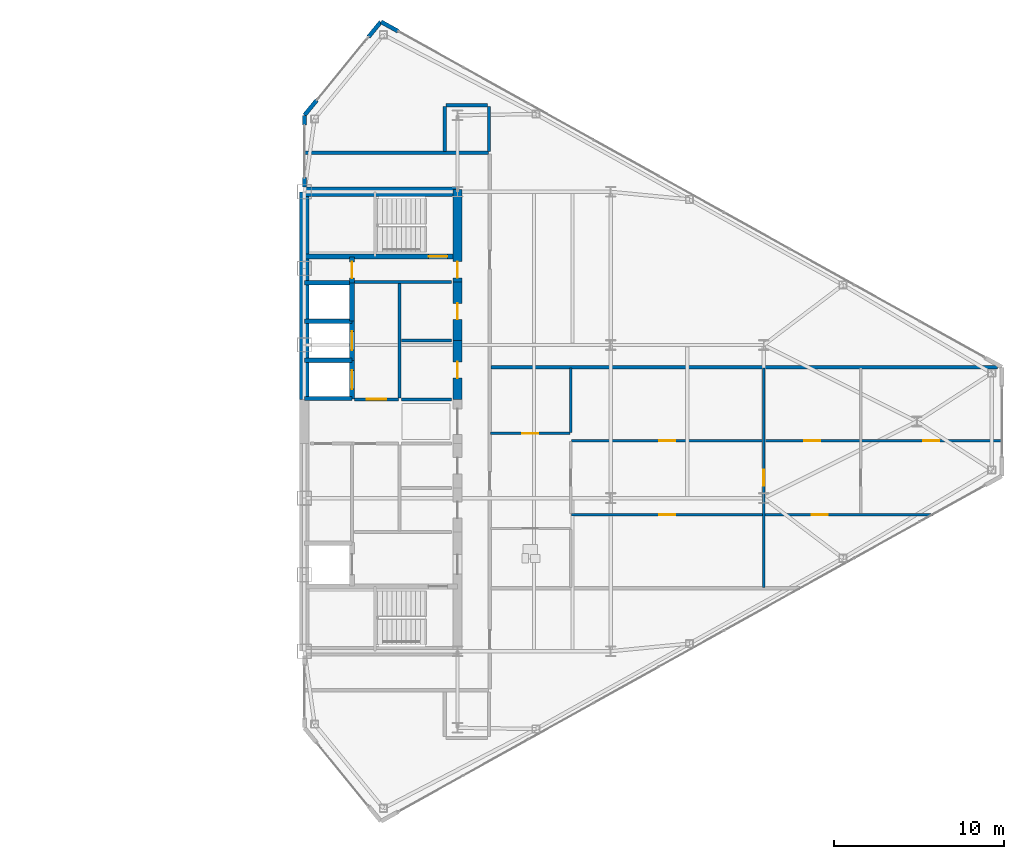
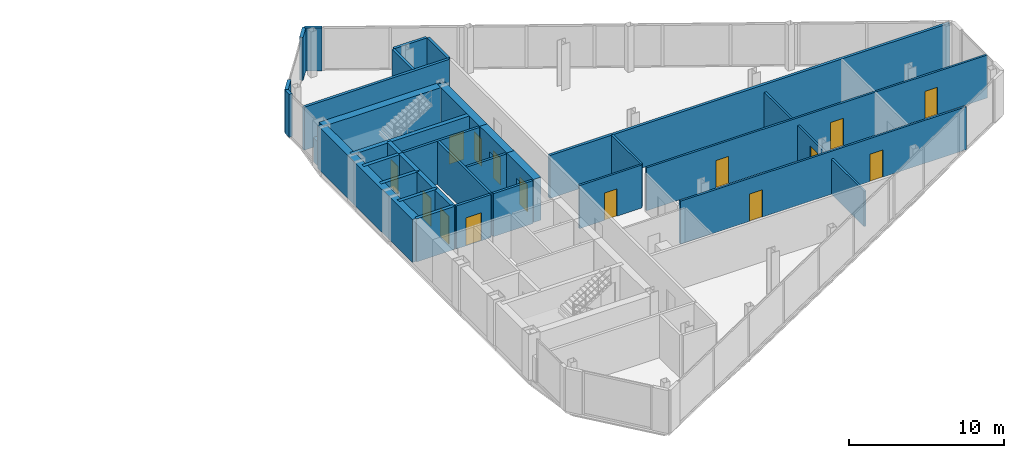
# One storey, part 22 of 26: 34 walls, 15 doors, 15 openings.
"""IFC4 building model written with IfcOpenShell, lengths in metres."""

from ifc_helpers import new_model, si_unit, direction, frame, frame_2d, origin, place, context, subcontext, project, spatial, rectangle, extrude, source, transform, mapped, material, layer, layer_set, type_object, type_shapes, element, fill, save


model = new_model("IFC4")

# Units and contexts
model_context = context("Model", 3, precision=1e-05, world=origin(), true_north=direction((0.0, 1.0)))
body_context = subcontext(model_context, "Body", "Model", "MODEL_VIEW")
ifc_project = project(units=[si_unit("LENGTHUNIT", "METRE"), si_unit("AREAUNIT", "SQUARE_METRE"), si_unit("VOLUMEUNIT", "CUBIC_METRE"), si_unit("PLANEANGLEUNIT", "RADIAN"), si_unit("MASSUNIT", "GRAM", prefix="KILO")], contexts=[model_context])

# Site, building, storey
site_placement = place(None, origin())
site = spatial("IfcSite", under=ifc_project, at=site_placement, CompositionType="ELEMENT")
building_placement = place(site_placement, origin())
building = spatial("IfcBuilding", under=site, at=building_placement, Name="Seokmaru Belvedere", CompositionType="ELEMENT")
storey_placement = place(building_placement, frame((0.0, 0.0, 192.300048828125)))
storey = spatial("IfcBuildingStorey", under=building, at=storey_placement, Name="L51", CompositionType="ELEMENT", Elevation=192.300048828125)

# Wall, openings, doors
ifc_material_1 = material(Name="Fire-Rated Gypsum Shaftwall")
ifc_layer_1 = layer(ifc_material_1, 0.14990234375)
ifc_layer_set_1 = layer_set([ifc_layer_1], Name="Fire-Rated Gypsum Shaftwall")
wall_type_1 = type_object("IfcWallType", Name="Apartment Fire-Acoustic Room Partition 150", PredefinedType="PARTITIONING", material=ifc_layer_set_1)
wall_1_placement = place(storey_placement, frame((43.199951171875, -5.469970703125, 0.0), z_axis=(0.0, 0.0, 1.0), x_axis=(1.0, 0.0, 0.0)))
wall_1 = element("IfcWall", 1, at=wall_1_placement, inside=storey, type_object=wall_type_1, Name="L51 Interior Partition 008", PredefinedType="PARTITIONING", context=body_context, shape_type="SweptSolid", body=[
    extrude(rectangle(XDim=21.259033203125, YDim=0.14990234375, at=frame_2d((10.62939453125, 0.0))), origin(), (0.0, 0.0, 1.0), 3.3798828125),
])
opening_1_placement = place(wall_1_placement, frame((5.14990234375, 0.0, 0.0)))
opening_1 = element("IfcOpeningElement", 2, at=opening_1_placement, cuts=wall_1, Name="Opening D05", PredefinedType="OPENING", context=body_context, shape_type="SweptSolid", body=[
    extrude(rectangle(XDim=0.949951171875, YDim=2.14990234375, at=frame_2d((0.47509765625, 1.074951171875))), frame((0.0, 0.0849609375, 0.0), z_axis=(0.0, -1.0, 0.0), x_axis=(1.0, 0.0, 0.0)), (0.0, 0.0, 1.0), 0.169921875),
])
opening_2_placement = place(wall_1_placement, frame((14.112548828125, 0.0, 0.0)))
opening_2 = element("IfcOpeningElement", 3, at=opening_2_placement, cuts=wall_1, Name="Opening D05", PredefinedType="OPENING", context=body_context, shape_type="SweptSolid", body=[
    extrude(rectangle(XDim=0.949951171875, YDim=2.14990234375, at=frame_2d((0.47509765625, 1.074951171875))), frame((0.0, 0.0849609375, 0.0), z_axis=(0.0, -1.0, 0.0), x_axis=(1.0, 0.0, 0.0)), (0.0, 0.0, 1.0), 0.169921875),
])
ifc_material_2 = material(Name="Engineered White Oak Timber", Category="wood")
door_type_1 = type_object("IfcDoorType", Name="Apartment Interior Fire-Rated Oak Door 950x2150", OperationType="NOTDEFINED", PredefinedType="DOOR", material=ifc_material_2)
shared_shape_1 = source(origin(), body_context, "Body", "SweptSolid", [
    extrude(rectangle(XDim=0.949951171875, YDim=2.14990234375, at=frame_2d((0.47509765625, 1.074951171875))), frame((0.0, 0.02490234375, 0.0), z_axis=(0.0, -1.0, 0.0), x_axis=(1.0, 0.0, 0.0)), (0.0, 0.0, 1.0), 0.050048828125),
])
type_shapes(door_type_1, [shared_shape_1])
door_1_placement = place(opening_1_placement, origin())
door_1 = element("IfcDoor", 4, at=door_1_placement, inside=storey, type_object=door_type_1, Name="L51 Interior Door 019", OperationType="SINGLE_SWING_RIGHT", OverallHeight=2.14990234375, OverallWidth=0.949951171875, PredefinedType="DOOR", context=body_context, shape_type="MappedRepresentation", body=[
    mapped(shared_shape_1, transform((0.0, 0.0, 0.0), scale=1.0)),
])
fill(opening_1, door_1)
door_2_placement = place(opening_2_placement, origin())
door_2 = element("IfcDoor", 5, at=door_2_placement, inside=storey, type_object=door_type_1, Name="L51 Interior Door 021", OperationType="SINGLE_SWING_RIGHT", OverallHeight=2.14990234375, OverallWidth=0.949951171875, PredefinedType="DOOR", context=body_context, shape_type="MappedRepresentation", body=[
    mapped(shared_shape_1, transform((0.0, 0.0, 0.0), scale=1.0)),
])
fill(opening_2, door_2)

wall_2_placement = place(storey_placement, frame((43.199951171875, -1.1298828125, 0.0), z_axis=(0.0, 0.0, 1.0), x_axis=(1.0, 0.0, 0.0)))
wall_2 = element("IfcWall", 6, at=wall_2_placement, inside=storey, type_object=wall_type_1, Name="L51 Interior Partition 011", PredefinedType="PARTITIONING", context=body_context, shape_type="SweptSolid", body=[
    extrude(rectangle(XDim=25.3349609375, YDim=0.14990234375, at=frame_2d((12.66748046875, 0.0))), origin(), (0.0, 0.0, 1.0), 3.3798828125),
])
opening_3_placement = place(wall_2_placement, frame((5.14990234375, 0.0, 0.0)))
opening_3 = element("IfcOpeningElement", 7, at=opening_3_placement, cuts=wall_2, Name="Opening D05", PredefinedType="OPENING", context=body_context, shape_type="SweptSolid", body=[
    extrude(rectangle(XDim=0.949951171875, YDim=2.14990234375, at=frame_2d((0.47509765625, 1.074951171875))), frame((0.0, 0.0849609375, 0.0), z_axis=(0.0, -1.0, 0.0), x_axis=(1.0, 0.0, 0.0)), (0.0, 0.0, 1.0), 0.169921875),
])
opening_4_placement = place(wall_2_placement, frame((20.675048828125, 0.0, 0.0)))
opening_4 = element("IfcOpeningElement", 8, at=opening_4_placement, cuts=wall_2, Name="Opening D05", PredefinedType="OPENING", context=body_context, shape_type="SweptSolid", body=[
    extrude(rectangle(XDim=0.949951171875, YDim=2.14990234375, at=frame_2d((0.47509765625, 1.074951171875))), frame((0.0, 0.0849609375, 0.0), z_axis=(0.0, -1.0, 0.0), x_axis=(1.0, 0.0, 0.0)), (0.0, 0.0, 1.0), 0.169921875),
])
opening_5_placement = place(wall_2_placement, frame((13.675048828125, 0.0, 0.0)))
opening_5 = element("IfcOpeningElement", 9, at=opening_5_placement, cuts=wall_2, Name="Opening D05", PredefinedType="OPENING", context=body_context, shape_type="SweptSolid", body=[
    extrude(rectangle(XDim=0.949951171875, YDim=2.14990234375, at=frame_2d((0.47509765625, 1.074951171875))), frame((0.0, 0.0849609375, 0.0), z_axis=(0.0, -1.0, 0.0), x_axis=(1.0, 0.0, 0.0)), (0.0, 0.0, 1.0), 0.169921875),
])
door_3_placement = place(opening_3_placement, origin())
door_3 = element("IfcDoor", 10, at=door_3_placement, inside=storey, type_object=door_type_1, Name="L51 Interior Door 020", OperationType="SINGLE_SWING_LEFT", OverallHeight=2.14990234375, OverallWidth=0.949951171875, PredefinedType="DOOR", context=body_context, shape_type="MappedRepresentation", body=[
    mapped(shared_shape_1, transform((0.0, 0.0, 0.0), scale=1.0)),
])
fill(opening_3, door_3)
door_4_placement = place(opening_4_placement, origin())
door_4 = element("IfcDoor", 11, at=door_4_placement, inside=storey, type_object=door_type_1, Name="L51 Interior Door 023", OperationType="SINGLE_SWING_RIGHT", OverallHeight=2.14990234375, OverallWidth=0.949951171875, PredefinedType="DOOR", context=body_context, shape_type="MappedRepresentation", body=[
    mapped(shared_shape_1, transform((0.0, 0.0, 0.0), scale=1.0)),
])
fill(opening_4, door_4)
door_5_placement = place(opening_5_placement, origin())
door_5 = element("IfcDoor", 12, at=door_5_placement, inside=storey, type_object=door_type_1, Name="L51 Interior Door 024", OperationType="SINGLE_SWING_RIGHT", OverallHeight=2.14990234375, OverallWidth=0.949951171875, PredefinedType="DOOR", context=body_context, shape_type="MappedRepresentation", body=[
    mapped(shared_shape_1, transform((0.0, 0.0, 0.0), scale=1.0)),
])
fill(opening_5, door_5)

# Wall, opening, door
wall_3_placement = place(storey_placement, frame((38.449951171875, -0.699951171875, 0.0), z_axis=(0.0, 0.0, 1.0), x_axis=(1.0, 0.0, 0.0)))
wall_3 = element("IfcWall", 13, at=wall_3_placement, inside=storey, type_object=wall_type_1, Name="L51 Interior Partition 012", PredefinedType="PARTITIONING", context=body_context, shape_type="SweptSolid", body=[
    extrude(rectangle(XDim=4.650146484375, YDim=0.14990234375, at=frame_2d((2.3251953125, 0.0))), origin(), (0.0, 0.0, 1.0), 3.3798828125),
])
opening_6_placement = place(wall_3_placement, frame((1.85009765625, 0.0, 0.0)))
opening_6 = element("IfcOpeningElement", 14, at=opening_6_placement, cuts=wall_3, Name="Opening D05", PredefinedType="OPENING", context=body_context, shape_type="SweptSolid", body=[
    extrude(rectangle(XDim=0.949951171875, YDim=2.14990234375, at=frame_2d((0.47509765625, 1.074951171875))), frame((0.0, 0.0849609375, 0.0), z_axis=(0.0, -1.0, 0.0), x_axis=(1.0, 0.0, 0.0)), (0.0, 0.0, 1.0), 0.169921875),
])
door_6_placement = place(opening_6_placement, origin())
door_6 = element("IfcDoor", 15, at=door_6_placement, inside=storey, type_object=door_type_1, Name="L51 Interior Door 016", OperationType="SINGLE_SWING_RIGHT", OverallHeight=2.14990234375, OverallWidth=0.949951171875, PredefinedType="DOOR", context=body_context, shape_type="MappedRepresentation", body=[
    mapped(shared_shape_1, transform((0.0, 0.0, 0.0), scale=1.0)),
])
fill(opening_6, door_6)

# Wall
wall_4_placement = place(storey_placement, frame((43.14990234375, -0.64794921875, 0.0), z_axis=(0.0, 0.0, 1.0), x_axis=(0.0, 1.0, 0.0)))
element("IfcWall", 16, at=wall_4_placement, inside=storey, type_object=wall_type_1, Name="L51 Interior Partition 037", PredefinedType="PARTITIONING", context=body_context, shape_type="SweptSolid", body=[
    extrude(rectangle(XDim=3.7978515625, YDim=0.14990234375, at=frame_2d((1.89892578125, 0.0))), origin(), (0.0, 0.0, 1.0), 3.3798828125),
])

# Wall, opening, door
wall_5_placement = place(storey_placement, frame((54.5, -9.75, 0.0), z_axis=(0.0, 0.0, 1.0), x_axis=(0.0, 1.0, 0.0)))
wall_5 = element("IfcWall", 17, at=wall_5_placement, inside=storey, type_object=wall_type_1, Name="L51 Interior Partition 038", PredefinedType="PARTITIONING", context=body_context, shape_type="SweptSolid", body=[
    extrude(rectangle(XDim=12.89990234375, YDim=0.14990234375, at=frame_2d((6.449951171875, 0.0))), origin(), (0.0, 0.0, 1.0), 2.780029296875),
])
opening_7_placement = place(wall_5_placement, frame((5.97509765625, 0.0, 0.0)))
opening_7 = element("IfcOpeningElement", 18, at=opening_7_placement, cuts=wall_5, Name="Opening D05", PredefinedType="OPENING", context=body_context, shape_type="SweptSolid", body=[
    extrude(rectangle(XDim=0.949951171875, YDim=2.14990234375, at=frame_2d((0.47509765625, 1.074951171875))), frame((0.0, 0.0849609375, 0.0), z_axis=(0.0, -1.0, 0.0), x_axis=(1.0, 0.0, 0.0)), (0.0, 0.0, 1.0), 0.169921875),
])
door_7_placement = place(opening_7_placement, origin())
door_7 = element("IfcDoor", 19, at=door_7_placement, inside=storey, type_object=door_type_1, Name="L51 Interior Door 018", OperationType="SINGLE_SWING_LEFT", OverallHeight=2.14990234375, OverallWidth=0.949951171875, PredefinedType="DOOR", context=body_context, shape_type="MappedRepresentation", body=[
    mapped(shared_shape_1, transform((0.0, 0.0, 0.0), scale=1.0)),
])
fill(opening_7, door_7)

# Walls
ifc_layer_2 = layer(ifc_material_1, 0.179931640625)
ifc_layer_set_2 = layer_set([ifc_layer_2], Name="Fire-Rated Gypsum Shaftwall")
wall_type_2 = type_object("IfcWallType", Name="Core Service Fire Partition 180", PredefinedType="PARTITIONING", material=ifc_layer_set_2)
wall_6_placement = place(storey_placement, frame((30.449951171875, 8.199951171875, 0.0), z_axis=(0.0, 0.0, 1.0), x_axis=(1.0, 0.0, 0.0)))
element("IfcWall", 20, at=wall_6_placement, inside=storey, type_object=wall_type_2, Name="L51 East Smokeproof Vestibule Partition", PredefinedType="PARTITIONING", context=body_context, shape_type="SweptSolid", body=[
    extrude(rectangle(XDim=5.699951171875, YDim=0.179931640625, at=frame_2d((2.85009765625, 0.0))), origin(), (0.0, 0.0, 1.0), 3.3798828125),
])
wall_7_placement = place(storey_placement, frame((33.10009765625, 1.3798828125, 0.0), z_axis=(0.0, 0.0, 1.0), x_axis=(0.0, 1.0, 0.0)))
element("IfcWall", 21, at=wall_7_placement, inside=storey, type_object=wall_type_2, Name="L51 East North Core Service Back Wall", PredefinedType="PARTITIONING", context=body_context, shape_type="SweptSolid", body=[
    extrude(rectangle(XDim=6.740234375, YDim=0.179931640625, at=frame_2d((3.3701171875, 0.0))), origin(), (0.0, 0.0, 1.0), 3.3798828125),
])

# Wall, opening, door
wall_8_placement = place(storey_placement, frame((30.449951171875, 1.300048828125, 0.0), z_axis=(0.0, 0.0, 1.0), x_axis=(1.0, 0.0, 0.0)))
wall_8 = element("IfcWall", 22, at=wall_8_placement, inside=storey, type_object=wall_type_2, Name="L51 East North Lift Lobby Foyer Wall", PredefinedType="PARTITIONING", context=body_context, shape_type="SweptSolid", body=[
    extrude(rectangle(XDim=2.570068359375, YDim=0.179931640625, at=frame_2d((1.28515625, 0.0))), origin(), (0.0, 0.0, 1.0), 3.3798828125),
])
opening_8_placement = place(wall_8_placement, frame((0.7099609375, 0.0, 0.0)))
opening_8 = element("IfcOpeningElement", 23, at=opening_8_placement, cuts=wall_8, Name="Opening D02", PredefinedType="OPENING", context=body_context, shape_type="SweptSolid", body=[
    extrude(rectangle(XDim=1.14990234375, YDim=2.199951171875, at=frame_2d((0.574951171875, 1.10009765625))), frame((0.0, 0.10009765625, 0.0), z_axis=(0.0, -1.0, 0.0), x_axis=(1.0, 0.0, 0.0)), (0.0, 0.0, 1.0), 0.199951171875),
])
ifc_material_3 = material(Name="Fire-Rated Steel Leaf", Category="steel")
door_type_2 = type_object("IfcDoorType", Name="Lobby and Vestibule Fire Door 1150x2200", OperationType="NOTDEFINED", PredefinedType="DOOR", material=ifc_material_3)
shared_shape_2 = source(origin(), body_context, "Body", "SweptSolid", [
    extrude(rectangle(XDim=1.14990234375, YDim=2.199951171875, at=frame_2d((0.574951171875, 1.10009765625))), frame((0.0, 0.02490234375, 0.0), z_axis=(0.0, -1.0, 0.0), x_axis=(1.0, 0.0, 0.0)), (0.0, 0.0, 1.0), 0.050048828125),
])
type_shapes(door_type_2, [shared_shape_2])
door_8_placement = place(opening_8_placement, origin())
door_8 = element("IfcDoor", 24, at=door_8_placement, inside=storey, type_object=door_type_2, Name="L51 East North Lift Lobby Door", OperationType="SINGLE_SWING_LEFT", OverallHeight=2.199951171875, OverallWidth=1.14990234375, PredefinedType="DOOR", context=body_context, shape_type="MappedRepresentation", body=[
    mapped(shared_shape_2, transform((0.0, 0.0, 0.0), scale=1.0)),
])
fill(opening_8, door_8)

# Walls
for number, where, z_axis, x_axis, name in (
    (25, (33.199951171875, 1.300048828125, 0.0), (0.0, 0.0, 1.0), (1.0, 0.0, 0.0), "L51 East Foyer Side Wall N"),
    (26, (33.199951171875, 4.75, 0.0), (0.0, 0.0, 1.0), (1.0, 0.0, 0.0), "L51 East Core Service Partition 2"),
):
    element("IfcWall", number, at=place(storey_placement, frame(where, z_axis=z_axis, x_axis=x_axis)), inside=storey, type_object=wall_type_2, Name=name, PredefinedType="PARTITIONING", context=body_context, shape_type="SweptSolid", body=[
        extrude(rectangle(XDim=2.949951171875, YDim=0.179931640625, at=frame_2d((1.47509765625, 0.0))), origin(), (0.0, 0.0, 1.0), 3.3798828125),
    ])
ifc_material_4 = material(Name="Concrete C50 (50 MPa)", Category="concrete")
ifc_layer_3 = layer(ifc_material_4, 0.25)
ifc_layer_set_3 = layer_set([ifc_layer_3], Name="Concrete C50 (50 MPa)")
wall_type_3 = type_object("IfcWallType", Name="Hoistway Transverse Concrete Divider Wall 250", PredefinedType="SHEAR", material=ifc_layer_set_3)
for number, where, z_axis, x_axis, name in (
    (27, (27.5, 1.35009765625, 0.0), (0.0, 0.0, 1.0), (1.0, 0.0, 0.0), "L51 East Hoistway Divider Core Wall 2"),
    (28, (27.5, 3.60009765625, 0.0), (0.0, 0.0, 1.0), (1.0, 0.0, 0.0), "L51 East Hoistway Divider Core Wall 3"),
    (29, (27.5, 5.89990234375, 0.0), (0.0, 0.0, 1.0), (1.0, 0.0, 0.0), "L51 East Hoistway Divider Core Wall 4"),
    (30, (27.5, 8.14990234375, 0.0), (0.0, 0.0, 1.0), (1.0, 0.0, 0.0), "L51 East Hoistway Divider Core Wall 5"),
):
    element("IfcWall", number, at=place(storey_placement, frame(where, z_axis=z_axis, x_axis=x_axis)), inside=storey, type_object=wall_type_3, Name=name, PredefinedType="SHEAR", context=body_context, shape_type="SweptSolid", body=[
        extrude(rectangle(XDim=2.800048828125, YDim=0.25, at=frame_2d((1.39990234375, 0.0))), origin(), (0.0, 0.0, 1.0), 3.3798828125),
    ])
ifc_layer_4 = layer(ifc_material_1, 0.199951171875)
ifc_layer_set_4 = layer_set([ifc_layer_4], Name="Fire-Rated Gypsum Shaftwall")
wall_type_4 = type_object("IfcWallType", Name="Inter-Tenancy Fire Compartment Partition 200", PredefinedType="PARTITIONING", material=ifc_layer_set_4)
wall_9_placement = place(storey_placement, frame((38.47998046875, 3.199951171875, 0.0), z_axis=(0.0, 0.0, 1.0), x_axis=(1.0, 0.0, 0.0)))
element("IfcWall", 31, at=wall_9_placement, inside=storey, type_object=wall_type_4, Name="L51 Interior Partition 015", PredefinedType="PARTITIONING", context=body_context, shape_type="SweptSolid", body=[
    extrude(rectangle(XDim=29.762939453125, YDim=0.199951171875, at=frame_2d((14.88134765625, 0.0))), origin(), (0.0, 0.0, 1.0), 3.3798828125),
])
wall_10_placement = place(storey_placement, frame((27.5, 15.800048828125, 0.0), z_axis=(0.0, 0.0, 1.0), x_axis=(1.0, 0.0, 0.0)))
element("IfcWall", 32, at=wall_10_placement, inside=storey, type_object=wall_type_4, Name="L51 Interior Partition 018", PredefinedType="PARTITIONING", context=body_context, shape_type="SweptSolid", body=[
    extrude(rectangle(XDim=10.81494140625, YDim=0.199951171875, at=frame_2d((5.407470703125, 0.0))), origin(), (0.0, 0.0, 1.0), 3.3798828125),
])
wall_11_placement = place(storey_placement, frame((35.8349609375, 18.60009765625, 0.0), z_axis=(0.0, 0.0, 1.0), x_axis=(1.0, 0.0, 0.0)))
element("IfcWall", 33, at=wall_11_placement, inside=storey, type_object=wall_type_4, Name="L51 Interior Partition 020", PredefinedType="PARTITIONING", context=body_context, shape_type="SweptSolid", body=[
    extrude(rectangle(XDim=2.429931640625, YDim=0.199951171875, at=frame_2d((1.21484375, 0.0))), origin(), (0.0, 0.0, 1.0), 3.3798828125),
])
for number, where, z_axis, x_axis, name in (
    (34, (35.75, 15.885009765625, 0.0), (0.0, 0.0, 1.0), (0.0, 1.0, 0.0), "L51 Interior Partition 031"),
    (35, (38.35009765625, 15.885009765625, 0.0), (0.0, 0.0, 1.0), (0.0, 1.0, 0.0), "L51 Interior Partition 033"),
):
    element("IfcWall", number, at=place(storey_placement, frame(where, z_axis=z_axis, x_axis=x_axis)), inside=storey, type_object=wall_type_4, Name=name, PredefinedType="PARTITIONING", context=body_context, shape_type="SweptSolid", body=[
        extrude(rectangle(XDim=2.6298828125, YDim=0.199951171875, at=frame_2d((1.31494140625, 0.0))), origin(), (0.0, 0.0, 1.0), 3.3798828125),
    ])

# Wall, opening, door
ifc_layer_5 = layer(ifc_material_4, 0.300048828125)
ifc_layer_set_5 = layer_set([ifc_layer_5], Name="Concrete C50 (50 MPa)")
wall_type_5 = type_object("IfcWallType", Name="Internal Core Stair and Hoistway Wall 300", PredefinedType="SHEAR", material=ifc_layer_set_5)
wall_12_placement = place(storey_placement, frame((27.5, 9.699951171875, 0.0), z_axis=(0.0, 0.0, 1.0), x_axis=(1.0, 0.0, 0.0)))
wall_12 = element("IfcWall", 36, at=wall_12_placement, inside=storey, type_object=wall_type_5, Name="L51 East Stair ST-2 Enclosure Wall", PredefinedType="SHEAR", context=body_context, shape_type="SweptSolid", body=[
    extrude(rectangle(XDim=9.0, YDim=0.300048828125, at=frame_2d((4.5, 0.0))), origin(), (0.0, 0.0, 1.0), 3.3798828125),
])
opening_9_placement = place(wall_12_placement, frame((7.300048828125, 0.0, 0.0)))
opening_9 = element("IfcOpeningElement", 37, at=opening_9_placement, cuts=wall_12, Name="Opening D01", PredefinedType="OPENING", context=body_context, shape_type="SweptSolid", body=[
    extrude(rectangle(XDim=1.10009765625, YDim=2.199951171875, at=frame_2d((0.550048828125, 1.10009765625))), frame((0.0, 0.16015625, 0.0), z_axis=(0.0, -1.0, 0.0), x_axis=(1.0, 0.0, 0.0)), (0.0, 0.0, 1.0), 0.320068359375),
])
door_type_3 = type_object("IfcDoorType", Name="Special Escape Stair Smokeproof Fire Door 1100x2200", OperationType="NOTDEFINED", PredefinedType="DOOR", material=ifc_material_3)
shared_shape_3 = source(origin(), body_context, "Body", "SweptSolid", [
    extrude(rectangle(XDim=1.10009765625, YDim=2.199951171875, at=frame_2d((0.550048828125, 1.10009765625))), frame((0.0, 0.02490234375, 0.0), z_axis=(0.0, -1.0, 0.0), x_axis=(1.0, 0.0, 0.0)), (0.0, 0.0, 1.0), 0.050048828125),
])
type_shapes(door_type_3, [shared_shape_3])
door_9_placement = place(opening_9_placement, origin())
door_9 = element("IfcDoor", 38, at=door_9_placement, inside=storey, type_object=door_type_3, Name="L51 East Special Escape Stair ST-2 Door", OperationType="SINGLE_SWING_LEFT", OverallHeight=2.199951171875, OverallWidth=1.10009765625, PredefinedType="DOOR", context=body_context, shape_type="MappedRepresentation", body=[
    mapped(shared_shape_3, transform((0.0, 0.0, 0.0), scale=1.0)),
])
fill(opening_9, door_9)

wall_13_placement = place(storey_placement, frame((30.300048828125, 1.320068359375, 0.0), z_axis=(0.0, 0.0, 1.0), x_axis=(0.0, 1.0, 0.0)))
wall_13 = element("IfcWall", 39, at=wall_13_placement, inside=storey, type_object=wall_type_5, Name="L51 East North Hoistway Wall PH1", PredefinedType="SHEAR", context=body_context, shape_type="SweptSolid", body=[
    extrude(rectangle(XDim=2.280029296875, YDim=0.300048828125, at=frame_2d((1.14013671875, 0.0))), origin(), (0.0, 0.0, 1.0), 3.3798828125),
])
opening_10_placement = place(wall_13_placement, frame((0.590087890625, 0.0, 0.0)))
opening_10 = element("IfcOpeningElement", 40, at=opening_10_placement, cuts=wall_13, Name="Opening LD1", PredefinedType="OPENING", context=body_context, shape_type="SweptSolid", body=[
    extrude(rectangle(XDim=1.10009765625, YDim=2.199951171875, at=frame_2d((0.550048828125, 1.10009765625))), frame((0.0, 0.16015625, 0.0), z_axis=(0.0, -1.0, 0.0), x_axis=(1.0, 0.0, 0.0)), (0.0, 0.0, 1.0), 0.320068359375),
])
ifc_material_5 = material(Name="Stainless Steel 316", Category="steel")
door_type_4 = type_object("IfcDoorType", Name="Passenger Lift Sliding Landing Door 1100x2200", OperationType="DOUBLE_DOOR_SLIDING", PredefinedType="DOOR", material=ifc_material_5)
shared_shape_4 = source(origin(), body_context, "Body", "SweptSolid", [
    extrude(rectangle(XDim=1.10009765625, YDim=2.199951171875, at=frame_2d((0.550048828125, 1.10009765625))), frame((0.0, 0.02490234375, 0.0), z_axis=(0.0, -1.0, 0.0), x_axis=(1.0, 0.0, 0.0)), (0.0, 0.0, 1.0), 0.050048828125),
])
type_shapes(door_type_4, [shared_shape_4])
door_10_placement = place(opening_10_placement, origin())
door_10 = element("IfcDoor", 41, at=door_10_placement, inside=storey, type_object=door_type_4, Name="L51 East High-Rise Lift PH-1 Landing Door", OperationType="DOUBLE_DOOR_SLIDING", OverallHeight=2.199951171875, OverallWidth=1.10009765625, PredefinedType="DOOR", context=body_context, shape_type="MappedRepresentation", body=[
    mapped(shared_shape_4, transform((0.0, 0.0, 0.0), scale=1.0)),
])
fill(opening_10, door_10)

wall_14_placement = place(storey_placement, frame((30.300048828125, 3.60009765625, 0.0), z_axis=(0.0, 0.0, 1.0), x_axis=(0.0, 1.0, 0.0)))
wall_14 = element("IfcWall", 42, at=wall_14_placement, inside=storey, type_object=wall_type_5, Name="L51 East North Hoistway Wall PH2", PredefinedType="SHEAR", context=body_context, shape_type="SweptSolid", body=[
    extrude(rectangle(XDim=2.2998046875, YDim=0.300048828125, at=frame_2d((1.14990234375, 0.0))), origin(), (0.0, 0.0, 1.0), 3.3798828125),
])
opening_11_placement = place(wall_14_placement, frame((0.60009765625, 0.0, 0.0)))
opening_11 = element("IfcOpeningElement", 43, at=opening_11_placement, cuts=wall_14, Name="Opening LD1", PredefinedType="OPENING", context=body_context, shape_type="SweptSolid", body=[
    extrude(rectangle(XDim=1.10009765625, YDim=2.199951171875, at=frame_2d((0.550048828125, 1.10009765625))), frame((0.0, 0.16015625, 0.0), z_axis=(0.0, -1.0, 0.0), x_axis=(1.0, 0.0, 0.0)), (0.0, 0.0, 1.0), 0.320068359375),
])
door_11_placement = place(opening_11_placement, origin())
door_11 = element("IfcDoor", 44, at=door_11_placement, inside=storey, type_object=door_type_4, Name="L51 East High-Rise Lift PH-2 Landing Door", OperationType="DOUBLE_DOOR_SLIDING", OverallHeight=2.199951171875, OverallWidth=1.10009765625, PredefinedType="DOOR", context=body_context, shape_type="MappedRepresentation", body=[
    mapped(shared_shape_4, transform((0.0, 0.0, 0.0), scale=1.0)),
])
fill(opening_11, door_11)

# Wall
wall_15_placement = place(storey_placement, frame((30.300048828125, 5.89990234375, 0.0), z_axis=(0.0, 0.0, 1.0), x_axis=(0.0, 1.0, 0.0)))
element("IfcWall", 45, at=wall_15_placement, inside=storey, type_object=wall_type_5, Name="L51 East North Hoistway Wall OBS", PredefinedType="SHEAR", context=body_context, shape_type="SweptSolid", body=[
    extrude(rectangle(XDim=2.25, YDim=0.300048828125, at=frame_2d((1.125, 0.0))), origin(), (0.0, 0.0, 1.0), 3.3798828125),
])

# Wall, opening, door
wall_16_placement = place(storey_placement, frame((30.300048828125, 8.14990234375, 0.0), z_axis=(0.0, 0.0, 1.0), x_axis=(0.0, 1.0, 0.0)))
wall_16 = element("IfcWall", 46, at=wall_16_placement, inside=storey, type_object=wall_type_5, Name="L51 East Electrical Riser Front Wall", PredefinedType="SHEAR", context=body_context, shape_type="SweptSolid", body=[
    extrude(rectangle(XDim=1.530029296875, YDim=0.300048828125, at=frame_2d((0.76513671875, 0.0))), origin(), (0.0, 0.0, 1.0), 3.3798828125),
])
opening_12_placement = place(wall_16_placement, frame((0.284912109375, 0.0, 0.0)))
opening_12 = element("IfcOpeningElement", 47, at=opening_12_placement, cuts=wall_16, Name="Opening D04", PredefinedType="OPENING", context=body_context, shape_type="SweptSolid", body=[
    extrude(rectangle(XDim=0.949951171875, YDim=2.14990234375, at=frame_2d((0.47509765625, 1.074951171875))), frame((0.0, 0.16015625, 0.0), z_axis=(0.0, -1.0, 0.0), x_axis=(1.0, 0.0, 0.0)), (0.0, 0.0, 1.0), 0.320068359375),
])
door_type_5 = type_object("IfcDoorType", Name="Core Service Room Fire Door 950x2150", OperationType="NOTDEFINED", PredefinedType="DOOR", material=ifc_material_3)
shared_shape_5 = source(origin(), body_context, "Body", "SweptSolid", [
    extrude(rectangle(XDim=0.949951171875, YDim=2.14990234375, at=frame_2d((0.47509765625, 1.074951171875))), frame((0.0, 0.02490234375, 0.0), z_axis=(0.0, -1.0, 0.0), x_axis=(1.0, 0.0, 0.0)), (0.0, 0.0, 1.0), 0.050048828125),
])
type_shapes(door_type_5, [shared_shape_5])
door_12_placement = place(opening_12_placement, origin())
door_12 = element("IfcDoor", 48, at=door_12_placement, inside=storey, type_object=door_type_5, Name="L51 East Electrical Riser Access Door", OperationType="SINGLE_SWING_RIGHT", OverallHeight=2.14990234375, OverallWidth=0.949951171875, PredefinedType="DOOR", context=body_context, shape_type="MappedRepresentation", body=[
    mapped(shared_shape_5, transform((0.0, 0.0, 0.0), scale=1.0)),
])
fill(opening_12, door_12)

# Walls
ifc_layer_6 = layer(ifc_material_4, 0.550048828125)
ifc_layer_set_6 = layer_set([ifc_layer_6], Name="Concrete C50 (50 MPa)")
wall_type_6 = type_object("IfcWallType", Name="Mid-High Reinforced Concrete Core Wall 550", PredefinedType="SHEAR", material=ifc_layer_set_6)
wall_17_placement = place(storey_placement, frame((27.5, 1.300048828125, 0.0), z_axis=(0.0, 0.0, 1.0), x_axis=(0.0, 1.0, 0.0)))
element("IfcWall", 49, at=wall_17_placement, inside=storey, type_object=wall_type_6, Name="L51 East Portal Spine Core Wall North", PredefinedType="SHEAR", context=body_context, shape_type="SweptSolid", body=[
    extrude(rectangle(XDim=12.199951171875, YDim=0.550048828125, at=frame_2d((6.10009765625, 0.0))), origin(), (0.0, 0.0, 1.0), 3.3798828125),
])
wall_18_placement = place(storey_placement, frame((27.5, 13.5, 0.0), z_axis=(0.0, 0.0, 1.0), x_axis=(1.0, 0.0, 0.0)))
element("IfcWall", 50, at=wall_18_placement, inside=storey, type_object=wall_type_6, Name="L51 East North Core Wall", PredefinedType="SHEAR", context=body_context, shape_type="SweptSolid", body=[
    extrude(rectangle(XDim=9.0, YDim=0.550048828125, at=frame_2d((4.5, 0.0))), origin(), (0.0, 0.0, 1.0), 3.3798828125),
])

# Wall, opening, door
wall_19_placement = place(storey_placement, frame((36.5, 8.199951171875, 0.0), z_axis=(0.0, 0.0, 1.0), x_axis=(0.0, 1.0, 0.0)))
wall_19 = element("IfcWall", 51, at=wall_19_placement, inside=storey, type_object=wall_type_6, Name="L51 East West Core Wall VST", PredefinedType="SHEAR", context=body_context, shape_type="SweptSolid", body=[
    extrude(rectangle(XDim=5.449951171875, YDim=0.550048828125, at=frame_2d((2.72509765625, 0.0))), origin(), (0.0, 0.0, 1.0), 3.3798828125),
])
opening_13_placement = place(wall_19_placement, frame((0.2451171875, 0.0, 0.0)))
opening_13 = element("IfcOpeningElement", 52, at=opening_13_placement, cuts=wall_19, Name="Opening D04", PredefinedType="OPENING", context=body_context, shape_type="SweptSolid", body=[
    extrude(rectangle(XDim=0.949951171875, YDim=2.14990234375, at=frame_2d((0.47509765625, 1.074951171875))), frame((0.0, 0.28515625, 0.0), z_axis=(0.0, -1.0, 0.0), x_axis=(1.0, 0.0, 0.0)), (0.0, 0.0, 1.0), 0.570068359375),
])
door_13_placement = place(opening_13_placement, origin())
door_13 = element("IfcDoor", 53, at=door_13_placement, inside=storey, type_object=door_type_5, Name="L51 East Smokeproof Vestibule Door", OperationType="SINGLE_SWING_LEFT", OverallHeight=2.14990234375, OverallWidth=0.949951171875, PredefinedType="DOOR", context=body_context, shape_type="MappedRepresentation", body=[
    mapped(shared_shape_5, transform((0.0, 0.0, 0.0), scale=1.0)),
])
fill(opening_13, door_13)

wall_20_placement = place(storey_placement, frame((36.5, 1.300048828125, 0.0), z_axis=(0.0, 0.0, 1.0), x_axis=(0.0, 1.0, 0.0)))
wall_20 = element("IfcWall", 54, at=wall_20_placement, inside=storey, type_object=wall_type_6, Name="L51 East West Core Wall CS3", PredefinedType="SHEAR", context=body_context, shape_type="SweptSolid", body=[
    extrude(rectangle(XDim=3.449951171875, YDim=0.550048828125, at=frame_2d((1.72509765625, 0.0))), origin(), (0.0, 0.0, 1.0), 3.3798828125),
])
opening_14_placement = place(wall_20_placement, frame((1.25, 0.0, 0.0)))
opening_14 = element("IfcOpeningElement", 55, at=opening_14_placement, cuts=wall_20, Name="Opening D04", PredefinedType="OPENING", context=body_context, shape_type="SweptSolid", body=[
    extrude(rectangle(XDim=0.949951171875, YDim=2.14990234375, at=frame_2d((0.47509765625, 1.074951171875))), frame((0.0, 0.28515625, 0.0), z_axis=(0.0, -1.0, 0.0), x_axis=(1.0, 0.0, 0.0)), (0.0, 0.0, 1.0), 0.570068359375),
])
door_14_placement = place(opening_14_placement, origin())
door_14 = element("IfcDoor", 56, at=door_14_placement, inside=storey, type_object=door_type_5, Name="L51 East Core Service Room Door 3", OperationType="SINGLE_SWING_RIGHT", OverallHeight=2.14990234375, OverallWidth=0.949951171875, PredefinedType="DOOR", context=body_context, shape_type="MappedRepresentation", body=[
    mapped(shared_shape_5, transform((0.0, 0.0, 0.0), scale=1.0)),
])
fill(opening_14, door_14)

wall_21_placement = place(storey_placement, frame((36.5, 4.75, 0.0), z_axis=(0.0, 0.0, 1.0), x_axis=(0.0, 1.0, 0.0)))
wall_21 = element("IfcWall", 57, at=wall_21_placement, inside=storey, type_object=wall_type_6, Name="L51 East West Core Wall CS4", PredefinedType="SHEAR", context=body_context, shape_type="SweptSolid", body=[
    extrude(rectangle(XDim=3.449951171875, YDim=0.550048828125, at=frame_2d((1.72509765625, 0.0))), origin(), (0.0, 0.0, 1.0), 3.3798828125),
])
opening_15_placement = place(wall_21_placement, frame((1.25, 0.0, 0.0)))
opening_15 = element("IfcOpeningElement", 58, at=opening_15_placement, cuts=wall_21, Name="Opening D04", PredefinedType="OPENING", context=body_context, shape_type="SweptSolid", body=[
    extrude(rectangle(XDim=0.949951171875, YDim=2.14990234375, at=frame_2d((0.47509765625, 1.074951171875))), frame((0.0, 0.28515625, 0.0), z_axis=(0.0, -1.0, 0.0), x_axis=(1.0, 0.0, 0.0)), (0.0, 0.0, 1.0), 0.570068359375),
])
door_15_placement = place(opening_15_placement, origin())
door_15 = element("IfcDoor", 59, at=door_15_placement, inside=storey, type_object=door_type_5, Name="L51 East Core Service Room Door 4", OperationType="SINGLE_SWING_LEFT", OverallHeight=2.14990234375, OverallWidth=0.949951171875, PredefinedType="DOOR", context=body_context, shape_type="MappedRepresentation", body=[
    mapped(shared_shape_5, transform((0.0, 0.0, 0.0), scale=1.0)),
])
fill(opening_15, door_15)

# Walls
ifc_material_6 = material(Name="Anodised Bronze Aluminium", Category="aluminium")
ifc_layer_7 = layer(ifc_material_6, 0.239990234375)
ifc_layer_set_7 = layer_set([ifc_layer_7], Name="Anodised Bronze Aluminium")
wall_type_7 = type_object("IfcWallType", Name="Tower Corner Spandrel Closure Wall 240", PredefinedType="SOLIDWALL", material=ifc_layer_set_7)
wall_22_placement = place(storey_placement, frame((33.0048828125, 22.94091796875, 0.0), z_axis=(0.0, 0.0, 1.0), x_axis=(-0.87385402111, 0.486188389196, 0.0)))
element("IfcWall", 60, at=wall_22_placement, inside=storey, type_object=wall_type_7, Name="L51 E Corner Closure Pier 3B", PredefinedType="SOLIDWALL", context=body_context, shape_type="SweptSolid", body=[
    extrude(rectangle(XDim=1.139892578125, YDim=0.239990234375, at=frame_2d((0.56982421875, 0.0))), origin(), (0.0, 0.0, 1.0), 3.3798828125),
])
for number, where, z_axis, x_axis, name in (
    (61, (31.99365234375, 23.4921875, 0.0), (0.0, 0.0, 1.0), (-0.633249451965, -0.77394775766, 0.0), "L51 E Corner Closure Pier 4A"),
    (62, (28.228271484375, 18.89013671875, 0.0), (0.0, 0.0, 1.0), (-0.633249451965, -0.77394775766, 0.0), "L51 E Corner Closure Pier 4B"),
):
    element("IfcWall", number, at=place(storey_placement, frame(where, z_axis=z_axis, x_axis=x_axis)), inside=storey, type_object=wall_type_7, Name=name, PredefinedType="SOLIDWALL", context=body_context, shape_type="SweptSolid", body=[
        extrude(rectangle(XDim=1.14013671875, YDim=0.239990234375, at=frame_2d((0.570068359375, 0.0))), origin(), (0.0, 0.0, 1.0), 3.3798828125),
    ])
wall_23_placement = place(storey_placement, frame((27.5, 13.780029296875, 0.0), z_axis=(0.0, 0.0, 1.0), x_axis=(0.0, 1.0, 0.0)))
element("IfcWall", 63, at=wall_23_placement, inside=storey, type_object=wall_type_7, Name="L51 E Spine Closure Pier 2A", PredefinedType="SOLIDWALL", context=body_context, shape_type="SweptSolid", body=[
    extrude(rectangle(XDim=0.550048828125, YDim=0.239990234375, at=frame_2d((0.27490234375, 0.0))), origin(), (0.0, 0.0, 1.0), 1.8798828125),
])
wall_24_placement = place(storey_placement, frame((27.5, 17.429931640625, 0.0), z_axis=(0.0, 0.0, 1.0), x_axis=(0.0, 1.0, 0.0)))
element("IfcWall", 64, at=wall_24_placement, inside=storey, type_object=wall_type_7, Name="L51 E Spine Closure Pier 2B", PredefinedType="SOLIDWALL", context=body_context, shape_type="SweptSolid", body=[
    extrude(rectangle(XDim=0.550048828125, YDim=0.239990234375, at=frame_2d((0.27490234375, 0.0))), origin(), (0.0, 0.0, 1.0), 3.3798828125),
])

save(model, "model.ifc")
